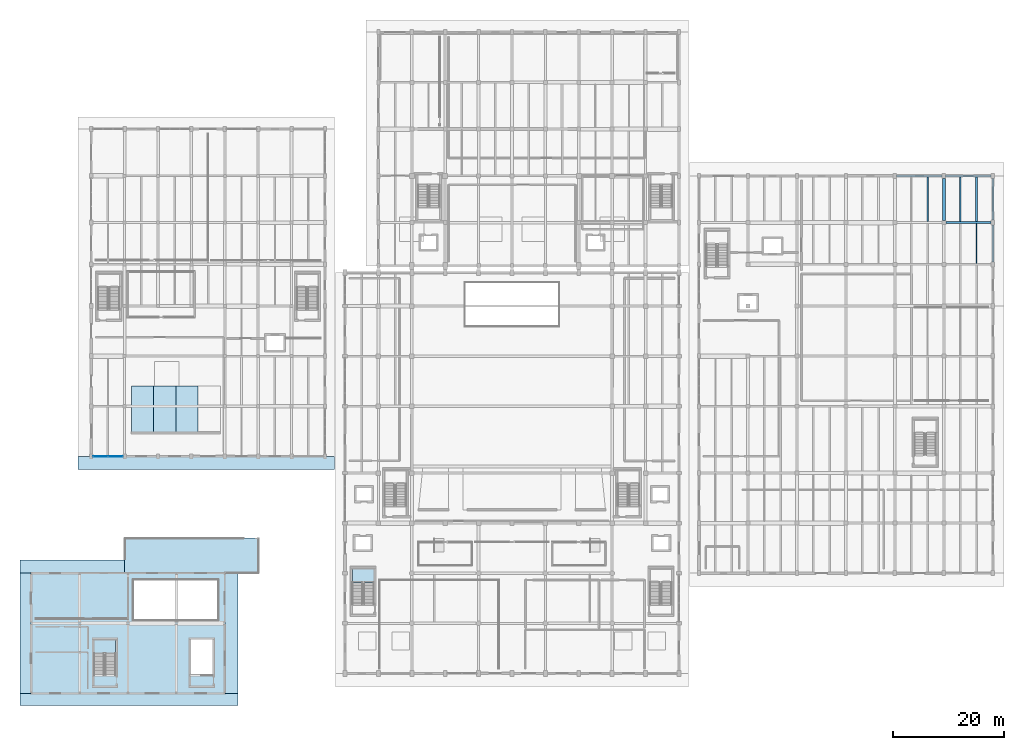
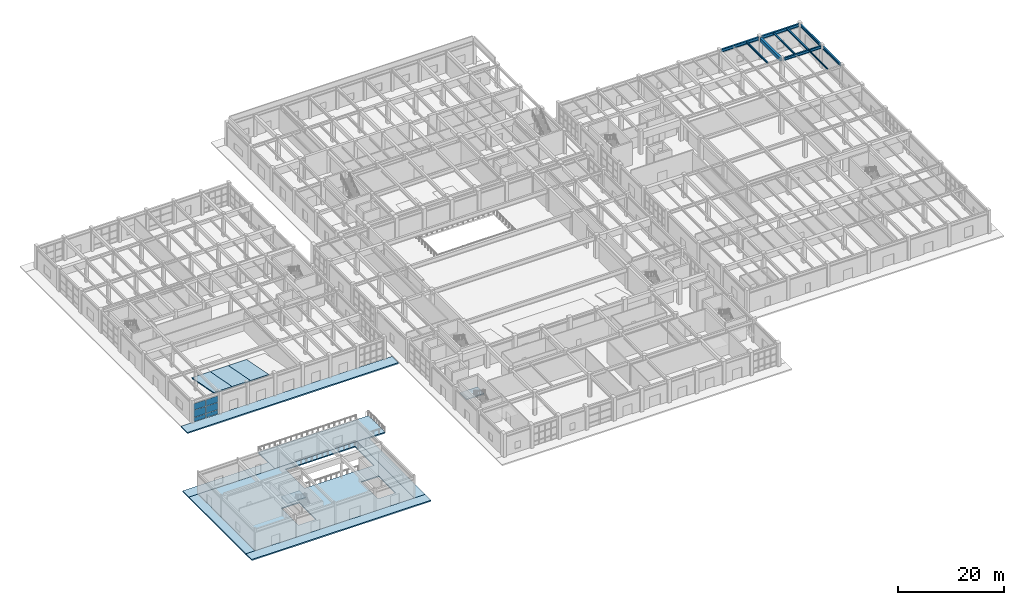
# One storey, part 60 of 91: 12 slabs, 10 beams, 6 plates, 3 elements without a shape of their own.
"""IFC4 building model written with IfcOpenShell, lengths in metres."""

from ifc_helpers import new_model, si_unit, direction, frame, origin, origin_2d, place, context, subcontext, project, spatial, polyline, rectangle, i_section, outline, extrude, material, layer, layer_set, material_profile, profile_set, type_object, element, aggregate, save


model = new_model("IFC4")

# Units and contexts
model_context = context("Model", 3, precision=1e-05, world=origin(), true_north=direction((0.0, 1.0)))
body_context = subcontext(model_context, "Body", "Model", "MODEL_VIEW")
ifc_project = project(units=[si_unit("LENGTHUNIT", "METRE"), si_unit("AREAUNIT", "SQUARE_METRE"), si_unit("VOLUMEUNIT", "CUBIC_METRE"), si_unit("PLANEANGLEUNIT", "RADIAN"), si_unit("MASSUNIT", "GRAM", prefix="KILO")], contexts=[model_context])

# Site, building, storey
site_placement = place(None, origin())
site = spatial("IfcSite", under=ifc_project, at=site_placement, CompositionType="ELEMENT")
building_placement = place(site_placement, origin())
building = spatial("IfcBuilding", under=site, at=building_placement, Name="Vaelkrest Opera House", CompositionType="ELEMENT")
storey_placement = place(building_placement, origin())
storey = spatial("IfcBuildingStorey", under=building, at=storey_placement, Name="L00", CompositionType="ELEMENT", Elevation=0.0)

# Beams
ifc_material_1 = material(Name="Concrete C50/60", Category="concrete")
ifc_material_profile_1 = material_profile(ifc_material_1, rectangle(XDim=0.5, YDim=0.85009765625, at=origin_2d()), Name="RCB500X850")
ifc_profile_set_1 = profile_set([ifc_material_profile_1], Name="Concrete C50/60")
beam_type_1 = type_object("IfcBeamType", Name="B03", PredefinedType="BEAM", material=ifc_profile_set_1)
beam_1_placement = place(storey_placement, frame((77.60009765625, 25.550048828125, 4.655029296875), z_axis=(0.0, 1.0, 0.0), x_axis=(-1.0, 0.0, 0.0)))
element("IfcBeam", 1, at=beam_1_placement, inside=storey, type_object=beam_type_1, Name="Beam BM-V4-L00-2036", PredefinedType="BEAM", context=body_context, shape_type="SweptSolid", body=[
    extrude(rectangle(XDim=0.5, YDim=0.85009765625, at=origin_2d()), origin(), (0.0, 0.0, 1.0), 7.599853515625),
])
ifc_material_2 = material(Name="Steel A992 Gr50", Category="steel")
ifc_material_profile_2 = material_profile(ifc_material_2, i_section(OverallWidth=0.327880859375, OverallDepth=0.6279296875, WebThickness=0.0166015625, FlangeThickness=0.027587890625, at=origin_2d()), Name="W24X146")
ifc_profile_set_2 = profile_set([ifc_material_profile_2], Name="Steel A992 Gr50")
beam_type_2 = type_object("IfcBeamType", Name="B09", PredefinedType="BEAM", material=ifc_profile_set_2)
beam_2_placement = place(storey_placement, frame((77.949951171875, 25.199951171875, 4.76611328125), z_axis=(1.0, 0.0, 0.0), x_axis=(0.0, 1.0, 0.0)))
element("IfcBeam", 2, at=beam_2_placement, inside=storey, type_object=beam_type_2, Name="Beam BM-V4-L00-1986", PredefinedType="BEAM", context=body_context, shape_type="SweptSolid", body=[
    extrude(i_section(OverallWidth=0.327880859375, OverallDepth=0.6279296875, WebThickness=0.0166015625, FlangeThickness=0.027587890625, at=origin_2d()), origin(), (0.0, 0.0, 1.0), 8.150146484375),
])
ifc_material_profile_3 = material_profile(ifc_material_2, i_section(OverallWidth=0.202880859375, OverallDepth=0.302978515625, WebThickness=0.007568359375, FlangeThickness=0.01318359375, at=origin_2d()), Name="W12X40")
ifc_profile_set_3 = profile_set([ifc_material_profile_3], Name="Steel A992 Gr50")
beam_type_3 = type_object("IfcBeamType", Name="J02", PredefinedType="JOIST", material=ifc_profile_set_3)
beam_3_placement = place(storey_placement, frame((83.467041015625, 17.857421875, 4.928466796875), z_axis=(0.0, 1.0, 0.0), x_axis=(-1.0, 0.0, 0.0)))
element("IfcBeam", 3, at=beam_3_placement, inside=storey, type_object=beam_type_3, Name="Floor joist JST-V4-L00-2112", PredefinedType="JOIST", context=body_context, shape_type="SweptSolid", body=[
    extrude(i_section(OverallWidth=0.202880859375, OverallDepth=0.302978515625, WebThickness=0.007568359375, FlangeThickness=0.01318359375, at=origin_2d()), origin(), (0.0, 0.0, 1.0), 7.178466796875),
])
ifc_material_profile_4 = material_profile(ifc_material_2, i_section(OverallWidth=0.25390625, OverallDepth=0.305908203125, WebThickness=0.0087890625, FlangeThickness=0.0146484375, at=origin_2d()), Name="W12X53")
ifc_profile_set_4 = profile_set([ifc_material_profile_4], Name="Steel A992 Gr50")
beam_type_4 = type_object("IfcBeamType", Name="J03", PredefinedType="JOIST", material=ifc_profile_set_4)
beam_4_placement = place(storey_placement, frame((80.532958984375, 25.364013671875, 4.927001953125), z_axis=(0.0, 1.0, 0.0), x_axis=(-1.0, 0.0, 0.0)))
element("IfcBeam", 4, at=beam_4_placement, inside=storey, type_object=beam_type_4, Name="Floor joist JST-V4-L00-2113", PredefinedType="JOIST", context=body_context, shape_type="SweptSolid", body=[
    extrude(i_section(OverallWidth=0.25390625, OverallDepth=0.305908203125, WebThickness=0.0087890625, FlangeThickness=0.0146484375, at=origin_2d()), origin(), (0.0, 0.0, 1.0), 8.05859375),
])
ifc_material_profile_5 = material_profile(ifc_material_2, i_section(OverallWidth=0.304931640625, OverallDepth=0.30810546875, WebThickness=0.010009765625, FlangeThickness=0.015380859375, at=origin_2d()), Name="W12X65")
ifc_profile_set_5 = profile_set([ifc_material_profile_5], Name="Steel A992 Gr50")
beam_type_5 = type_object("IfcBeamType", Name="J04", PredefinedType="JOIST", material=ifc_profile_set_5)
beam_5_placement = place(storey_placement, frame((83.467041015625, 25.364013671875, 4.926025390625), z_axis=(0.0, 1.0, 0.0), x_axis=(-1.0, 0.0, 0.0)))
element("IfcBeam", 5, at=beam_5_placement, inside=storey, type_object=beam_type_5, Name="Floor joist JST-V4-L00-2114", PredefinedType="JOIST", context=body_context, shape_type="SweptSolid", body=[
    extrude(i_section(OverallWidth=0.304931640625, OverallDepth=0.30810546875, WebThickness=0.010009765625, FlangeThickness=0.015380859375, at=origin_2d()), origin(), (0.0, 0.0, 1.0), 8.05859375),
])
ifc_material_profile_6 = material_profile(ifc_material_2, i_section(OverallWidth=0.261962890625, OverallDepth=0.4189453125, WebThickness=0.01171875, FlangeThickness=0.019287109375, at=origin_2d()), Name="W16X77")
ifc_profile_set_6 = profile_set([ifc_material_profile_6], Name="Steel A992 Gr50")
beam_type_6 = type_object("IfcBeamType", Name="J08", PredefinedType="JOIST", material=ifc_profile_set_6)
beam_6_placement = place(storey_placement, frame((74.6669921875, 25.362060546875, 4.87060546875), z_axis=(0.0, 1.0, 0.0), x_axis=(-1.0, 0.0, 0.0)))
element("IfcBeam", 6, at=beam_6_placement, inside=storey, type_object=beam_type_6, Name="Floor joist JST-V4-L00-2098", PredefinedType="JOIST", context=body_context, shape_type="SweptSolid", body=[
    extrude(i_section(OverallWidth=0.261962890625, OverallDepth=0.4189453125, WebThickness=0.01171875, FlangeThickness=0.019287109375, at=origin_2d()), origin(), (0.0, 0.0, 1.0), 8.060546875),
])
ifc_material_profile_7 = material_profile(ifc_material_2, i_section(OverallWidth=0.323974609375, OverallDepth=0.611083984375, WebThickness=0.0126953125, FlangeThickness=0.01904296875, at=origin_2d()), Name="W24X104")
ifc_profile_set_7 = profile_set([ifc_material_profile_7], Name="Steel A992 Gr50")
beam_type_7 = type_object("IfcBeamType", Name="SP01", PredefinedType="SPANDREL", material=ifc_profile_set_7)
beam_7_placement = place(storey_placement, frame((86.39990234375, 18.14990234375, 4.7744140625), z_axis=(0.0, 1.0, 0.0), x_axis=(-1.0, 0.0, 0.0)))
element("IfcBeam", 7, at=beam_7_placement, inside=storey, type_object=beam_type_7, Name="Beam BM-V4-L00-2043", PredefinedType="SPANDREL", context=body_context, shape_type="SweptSolid", body=[
    extrude(i_section(OverallWidth=0.323974609375, OverallDepth=0.611083984375, WebThickness=0.0126953125, FlangeThickness=0.01904296875, at=origin_2d()), origin(), (0.0, 0.0, 1.0), 6.60009765625),
])
beam_8_placement = place(storey_placement, frame((86.39990234375, 25.64990234375, 4.7744140625), z_axis=(0.0, 1.0, 0.0), x_axis=(-1.0, 0.0, 0.0)))
element("IfcBeam", 8, at=beam_8_placement, inside=storey, type_object=beam_type_7, Name="Beam BM-V4-L00-2044", PredefinedType="SPANDREL", context=body_context, shape_type="SweptSolid", body=[
    extrude(i_section(OverallWidth=0.323974609375, OverallDepth=0.611083984375, WebThickness=0.0126953125, FlangeThickness=0.01904296875, at=origin_2d()), origin(), (0.0, 0.0, 1.0), 7.5),
])
ifc_material_profile_8 = material_profile(ifc_material_2, i_section(OverallWidth=0.35498046875, OverallDepth=0.695068359375, WebThickness=0.015380859375, FlangeThickness=0.02490234375, at=origin_2d()), Name="W27X146")
ifc_profile_set_8 = profile_set([ifc_material_profile_8], Name="Steel A992 Gr50")
beam_type_8 = type_object("IfcBeamType", Name="SP02", PredefinedType="SPANDREL", material=ifc_profile_set_8)
beam_9_placement = place(storey_placement, frame((69.10009765625, 33.60009765625, 4.732421875), z_axis=(1.0, 0.0, 0.0), x_axis=(0.0, 1.0, 0.0)))
element("IfcBeam", 9, at=beam_9_placement, inside=storey, type_object=beam_type_8, Name="Beam BM-V4-L00-1991", PredefinedType="SPANDREL", context=body_context, shape_type="SweptSolid", body=[
    extrude(i_section(OverallWidth=0.35498046875, OverallDepth=0.695068359375, WebThickness=0.015380859375, FlangeThickness=0.02490234375, at=origin_2d()), origin(), (0.0, 0.0, 1.0), 8.199951171875),
])
beam_10_placement = place(storey_placement, frame((77.89990234375, 33.60009765625, 4.732421875), z_axis=(1.0, 0.0, 0.0), x_axis=(0.0, 1.0, 0.0)))
element("IfcBeam", 10, at=beam_10_placement, inside=storey, type_object=beam_type_8, Name="Beam BM-V4-L00-1992", PredefinedType="SPANDREL", context=body_context, shape_type="SweptSolid", body=[
    extrude(i_section(OverallWidth=0.35498046875, OverallDepth=0.695068359375, WebThickness=0.015380859375, FlangeThickness=0.02490234375, at=origin_2d()), origin(), (0.0, 0.0, 1.0), 8.2001953125),
])

# Curtain wall, plates
ifc_material_3 = material(Name="Dark bronze anodized aluminium", Category="aluminium")
ifc_layer_1 = layer(ifc_material_3, 0.25)
ifc_layer_set_1 = layer_set([ifc_layer_1], Name="Dark bronze anodized aluminium")
curtain_wall_type = type_object("IfcCurtainWallType", Name="CW08", PredefinedType="NOTDEFINED", material=ifc_layer_set_1)
curtain_wall_placement = place(storey_placement, origin())
curtain_wall = element("IfcCurtainWall", 11, at=curtain_wall_placement, inside=storey, type_object=curtain_wall_type, Name="Curtain wall CW-L00-089", PredefinedType="NOTDEFINED")
ifc_material_4 = material(Name="Dark bronze anodized aluminium spandrel", Category="aluminium")
ifc_layer_2 = layer(ifc_material_4, 0.05810546875)
ifc_layer_set_2 = layer_set([ifc_layer_2], Name="Dark bronze anodized aluminium spandrel")
plate_type = type_object("IfcPlateType", Name="CWP08", PredefinedType="CURTAIN_PANEL", material=ifc_layer_set_2)
plate_1_placement = place(storey_placement, frame((-71.26904296875, -16.800048828125, 0.06982421875), z_axis=(0.0, 0.0, 1.0), x_axis=(-1.0, 0.0, 0.0)))
plate_1 = element("IfcPlate", 12, at=plate_1_placement, type_object=plate_type, Name="CW08 panel 1.1", PredefinedType="CURTAIN_PANEL", context=body_context, shape_type="SweptSolid", body=[
    extrude(rectangle(XDim=2.58203125, YDim=0.05810546875, at=origin_2d()), origin(), (0.0, 0.0, 1.0), 0.945068359375),
])
plate_2_placement = place(storey_placement, frame((-71.26904296875, -16.800048828125, 1.0849609375), z_axis=(0.0, 0.0, 1.0), x_axis=(-1.0, 0.0, 0.0)))
plate_2 = element("IfcPlate", 13, at=plate_2_placement, type_object=plate_type, Name="CW08 panel 1.2", PredefinedType="CURTAIN_PANEL", context=body_context, shape_type="SweptSolid", body=[
    extrude(rectangle(XDim=2.58203125, YDim=0.05810546875, at=origin_2d()), origin(), (0.0, 0.0, 1.0), 1.6298828125),
])
plate_3_placement = place(storey_placement, frame((-71.26904296875, -16.800048828125, 2.78515625), z_axis=(0.0, 0.0, 1.0), x_axis=(-1.0, 0.0, 0.0)))
plate_3 = element("IfcPlate", 14, at=plate_3_placement, type_object=plate_type, Name="CW08 panel 1.3", PredefinedType="CURTAIN_PANEL", context=body_context, shape_type="SweptSolid", body=[
    extrude(rectangle(XDim=2.58203125, YDim=0.05810546875, at=origin_2d()), origin(), (0.0, 0.0, 1.0), 1.465087890625),
])
plate_4_placement = place(storey_placement, frame((-73.930908203125, -16.800048828125, 0.06982421875), z_axis=(0.0, 0.0, 1.0), x_axis=(-1.0, 0.0, 0.0)))
plate_4 = element("IfcPlate", 15, at=plate_4_placement, type_object=plate_type, Name="CW08 panel 2.1", PredefinedType="CURTAIN_PANEL", context=body_context, shape_type="SweptSolid", body=[
    extrude(rectangle(XDim=2.58203125, YDim=0.05810546875, at=origin_2d()), origin(), (0.0, 0.0, 1.0), 0.945068359375),
])
plate_5_placement = place(storey_placement, frame((-73.930908203125, -16.800048828125, 1.0849609375), z_axis=(0.0, 0.0, 1.0), x_axis=(-1.0, 0.0, 0.0)))
plate_5 = element("IfcPlate", 16, at=plate_5_placement, type_object=plate_type, Name="CW08 panel 2.2", PredefinedType="CURTAIN_PANEL", context=body_context, shape_type="SweptSolid", body=[
    extrude(rectangle(XDim=2.58203125, YDim=0.05810546875, at=origin_2d()), origin(), (0.0, 0.0, 1.0), 1.6298828125),
])
plate_6_placement = place(storey_placement, frame((-73.930908203125, -16.800048828125, 2.78515625), z_axis=(0.0, 0.0, 1.0), x_axis=(-1.0, 0.0, 0.0)))
plate_6 = element("IfcPlate", 17, at=plate_6_placement, type_object=plate_type, Name="CW08 panel 2.3", PredefinedType="CURTAIN_PANEL", context=body_context, shape_type="SweptSolid", body=[
    extrude(rectangle(XDim=2.58203125, YDim=0.05810546875, at=origin_2d()), origin(), (0.0, 0.0, 1.0), 1.465087890625),
])
aggregate(curtain_wall, [plate_1, plate_2, plate_3, plate_4, plate_5, plate_6])

# Slab
ifc_material_5 = material(Name="Concrete C40/50", Category="concrete")
ifc_layer_3 = layer(ifc_material_5, 0.2451171875)
ifc_layer_set_3 = layer_set([ifc_layer_3], Name="Concrete C40/50")
slab_type_1 = type_object("IfcSlabType", Name="FS01", PredefinedType="FLOOR", material=ifc_layer_set_3)
slab_1_placement = place(storey_placement, frame((0.0, 0.0, -0.2451171875)))
element("IfcSlab", 18, at=slab_1_placement, inside=storey, type_object=slab_type_1, Name="Floor slab SLB-V5-L00-036", PredefinedType="FLOOR", context=body_context, shape_type="SweptSolid", body=[
    extrude(outline(polyline([(-86.39990234375, -59.39990234375), (-51.60009765625, -59.39990234375), (-51.60009765625, -37.800048828125), (-86.39990234375, -37.800048828125), (-86.39990234375, -59.39990234375)]), holes=[polyline([(-68.0, -46.199951171875), (-52.800048828125, -46.199951171875), (-52.800048828125, -39.0), (-68.0, -39.0), (-68.0, -46.199951171875)]), polyline([(-71.199951171875, -56.14990234375), (-71.199951171875, -49.699951171875), (-75.10009765625, -49.699951171875), (-75.10009765625, -56.14990234375), (-71.199951171875, -56.14990234375)]), polyline([(-53.800048828125, -56.14990234375), (-53.800048828125, -49.699951171875), (-57.699951171875, -49.699951171875), (-57.699951171875, -56.14990234375), (-53.800048828125, -56.14990234375)])]), origin(), (0.0, 0.0, 1.0), 0.2451171875),
])

# Stair, slab
stair_type_1 = type_object("IfcStairType", Name="ST03", PredefinedType="TWO_STRAIGHT_RUN_STAIR", material=ifc_material_5)
stair_1_placement = place(storey_placement, origin())
stair_1 = element("IfcStair", 19, at=stair_1_placement, inside=storey, type_object=stair_type_1, Name="L00 Protected exit stair ST03", PredefinedType="TWO_STRAIGHT_RUN_STAIR")
ifc_layer_4 = layer(ifc_material_5, 0.199951171875)
ifc_layer_set_4 = layer_set([ifc_layer_4], Name="Concrete C40/50")
slab_type_2 = type_object("IfcSlabType", Name="SLD01", PredefinedType="LANDING", material=ifc_layer_set_4)
slab_2_placement = place(storey_placement, frame((0.0, 0.0, 2.5)))
slab_2 = element("IfcSlab", 20, at=slab_2_placement, type_object=slab_type_2, Name="ST03 landing 1", PredefinedType="LANDING", context=body_context, shape_type="SweptSolid", body=[
    extrude(outline(polyline([(-24.800048828125, -39.429931640625), (-24.800048828125, -36.89990234375), (-28.699951171875, -36.89990234375), (-28.699951171875, -39.429931640625), (-24.800048828125, -39.429931640625)])), origin(), (0.0, 0.0, 1.0), 0.199951171875),
])
aggregate(stair_1, [slab_2])

stair_type_2 = type_object("IfcStairType", Name="ST11", PredefinedType="TWO_STRAIGHT_RUN_STAIR", material=ifc_material_5)
stair_2_placement = place(storey_placement, origin())
stair_2 = element("IfcStair", 21, at=stair_2_placement, inside=storey, type_object=stair_type_2, Name="L00 Protected exit stair ST11", PredefinedType="TWO_STRAIGHT_RUN_STAIR")
slab_3_placement = place(storey_placement, frame((0.0, 0.0, 2.5)))
slab_3 = element("IfcSlab", 22, at=slab_3_placement, type_object=slab_type_2, Name="ST11 landing 1", PredefinedType="LANDING", context=body_context, shape_type="SweptSolid", body=[
    extrude(outline(polyline([(-71.199951171875, -52.22998046875), (-71.199951171875, -49.699951171875), (-75.10009765625, -49.699951171875), (-75.10009765625, -52.22998046875), (-71.199951171875, -52.22998046875)])), origin(), (0.0, 0.0, 1.0), 0.199951171875),
])
aggregate(stair_2, [slab_3])

# Slabs
ifc_layer_5 = layer(ifc_material_5, 0.219970703125)
ifc_layer_set_5 = layer_set([ifc_layer_5], Name="Concrete C40/50")
slab_type_3 = type_object("IfcSlabType", Name="STIER01", PredefinedType="USERDEFINED", material=ifc_layer_set_5)
for number, where, z_axis, x_axis, name in (
    (23, (-68.39990234375, -4.199951171875, 0.241943359375), (0.0, 0.18915752873, 0.981946754832), (1.0, 0.0, 0.0), "Studio stage seating tier 1"),
    (24, (-64.39990234375, -4.199951171875, 0.241943359375), (0.0, 0.18915752873, 0.981946754832), (1.0, 0.0, 0.0), "Studio stage seating tier 2"),
    (25, (-60.39990234375, -4.199951171875, 0.241943359375), (0.0, 0.18915752873, 0.981946754832), (1.0, 0.0, 0.0), "Studio stage seating tier 3"),
):
    element("IfcSlab", number, at=place(storey_placement, frame(where, z_axis=z_axis, x_axis=x_axis)), inside=storey, type_object=slab_type_3, Name=name, ObjectType="SEATING TIER", PredefinedType="USERDEFINED", context=body_context, shape_type="SweptSolid", body=[
        extrude(outline(polyline([(0.0, 0.0), (4.0, 0.0), (4.0, -8.554584495586223), (0.0, -8.554584495586223), (0.0, 0.0)])), origin(), (0.0, 0.0, -1.0), 0.219970703125),
    ])
ifc_layer_6 = layer(ifc_material_5, 0.294921875)
ifc_layer_set_6 = layer_set([ifc_layer_6], Name="Concrete C40/50")
slab_type_4 = type_object("IfcSlabType", Name="TS02", PredefinedType="FLOOR", material=ifc_layer_set_6)
slab_4_placement = place(storey_placement, frame((0.0, 0.0, -0.294921875)))
element("IfcSlab", 26, at=slab_4_placement, inside=storey, type_object=slab_type_4, Name="Exterior plaza walkway SLB-PLZ-V3-S", PredefinedType="FLOOR", context=body_context, shape_type="SweptSolid", body=[
    extrude(outline(polyline([(-78.0, -19.199951171875), (-31.89990234375, -19.199951171875), (-31.89990234375, -16.800048828125), (-78.0, -16.800048828125), (-78.0, -19.199951171875)])), origin(), (0.0, 0.0, 1.0), 0.294921875),
])
slab_5_placement = place(storey_placement, frame((0.0, 0.0, -0.294921875)))
element("IfcSlab", 27, at=slab_5_placement, inside=storey, type_object=slab_type_4, Name="Exterior plaza walkway SLB-PLZ-V5-S", PredefinedType="FLOOR", context=body_context, shape_type="SweptSolid", body=[
    extrude(outline(polyline([(-88.39990234375, -61.60009765625), (-49.199951171875, -61.60009765625), (-49.199951171875, -59.39990234375), (-88.39990234375, -59.39990234375), (-88.39990234375, -61.60009765625)])), origin(), (0.0, 0.0, 1.0), 0.294921875),
])
slab_6_placement = place(storey_placement, frame((0.0, 0.0, -0.294921875)))
element("IfcSlab", 28, at=slab_6_placement, inside=storey, type_object=slab_type_4, Name="Exterior plaza walkway SLB-PLZ-V5-N", PredefinedType="FLOOR", context=body_context, shape_type="SweptSolid", body=[
    extrude(outline(polyline([(-88.39990234375, -37.800048828125), (-69.60009765625, -37.800048828125), (-69.60009765625, -35.39990234375), (-88.39990234375, -35.39990234375), (-88.39990234375, -37.800048828125)])), origin(), (0.0, 0.0, 1.0), 0.294921875),
])
slab_7_placement = place(storey_placement, frame((0.0, 0.0, -0.294921875)))
element("IfcSlab", 29, at=slab_7_placement, inside=storey, type_object=slab_type_4, Name="Exterior plaza walkway SLB-PLZ-V5-W", PredefinedType="FLOOR", context=body_context, shape_type="SweptSolid", body=[
    extrude(outline(polyline([(-88.39990234375, -59.39990234375), (-86.39990234375, -59.39990234375), (-86.39990234375, -37.800048828125), (-88.39990234375, -37.800048828125), (-88.39990234375, -59.39990234375)])), origin(), (0.0, 0.0, 1.0), 0.294921875),
])
slab_8_placement = place(storey_placement, frame((0.0, 0.0, -0.294921875)))
element("IfcSlab", 30, at=slab_8_placement, inside=storey, type_object=slab_type_4, Name="Exterior plaza walkway SLB-PLZ-V5-E", PredefinedType="FLOOR", context=body_context, shape_type="SweptSolid", body=[
    extrude(outline(polyline([(-51.60009765625, -59.39990234375), (-49.199951171875, -59.39990234375), (-49.199951171875, -37.800048828125), (-51.60009765625, -37.800048828125), (-51.60009765625, -59.39990234375)])), origin(), (0.0, 0.0, 1.0), 0.294921875),
])
slab_9_placement = place(storey_placement, frame((0.0, 0.0, -0.294921875)))
element("IfcSlab", 31, at=slab_9_placement, inside=storey, type_object=slab_type_4, Name="Forecourt ramp arrival plaza slab", PredefinedType="FLOOR", context=body_context, shape_type="SweptSolid", body=[
    extrude(outline(polyline([(-69.60009765625, -37.800048828125), (-45.5, -37.800048828125), (-45.5, -31.5), (-69.60009765625, -31.5), (-69.60009765625, -37.800048828125)])), origin(), (0.0, 0.0, 1.0), 0.294921875),
])

save(model, "model.ifc")
